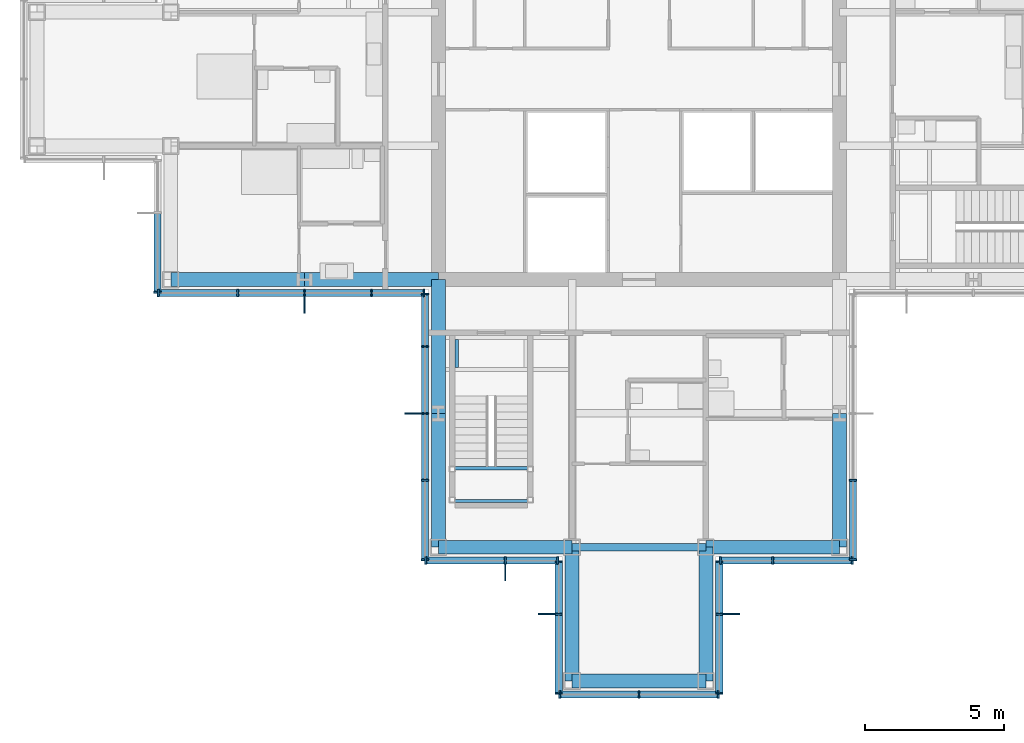
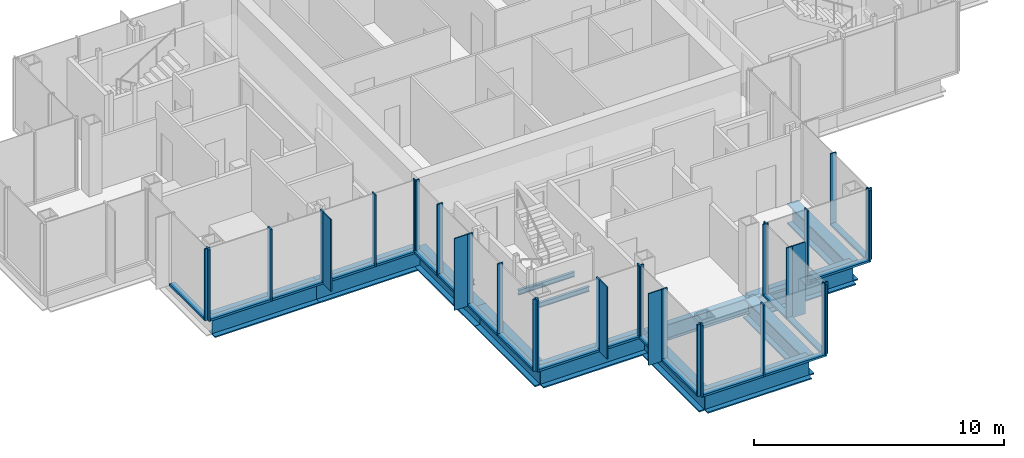
# One storey, part 5 of 15: 53 members, 14 beams, 9 elements without a shape of their own.
"""IFC4 building model written with IfcOpenShell, lengths in metres."""

from ifc_helpers import new_model, si_unit, direction, frame, origin, origin_2d, place, context, subcontext, project, spatial, rectangle, i_section, extrude, material, material_profile, profile_set, type_object, element, aggregate, save


model = new_model("IFC4")

# Units and contexts
model_context = context("Model", 3, precision=1e-05, world=origin(), true_north=direction((0.0, 1.0)))
body_context = subcontext(model_context, "Body", "Model", "MODEL_VIEW")
ifc_project = project(units=[si_unit("LENGTHUNIT", "METRE"), si_unit("AREAUNIT", "SQUARE_METRE"), si_unit("VOLUMEUNIT", "CUBIC_METRE"), si_unit("PLANEANGLEUNIT", "RADIAN"), si_unit("MASSUNIT", "GRAM", prefix="KILO")], contexts=[model_context])

# Site, building, storey
site_placement = place(None, origin())
site = spatial("IfcSite", under=ifc_project, at=site_placement, CompositionType="ELEMENT")
building_placement = place(site_placement, origin())
building = spatial("IfcBuilding", under=site, at=building_placement, Name="Kvirike Care Tower", CompositionType="ELEMENT")
storey_placement = place(building_placement, frame((0.0, 0.0, 205.0)))
storey = spatial("IfcBuildingStorey", under=building, at=storey_placement, Name="L56", CompositionType="ELEMENT", Elevation=205.0)

# Curtain wall, member
ifc_material_1 = material(Name="Anodised aluminium stick system", Category="aluminium")
curtain_wall_type = type_object("IfcCurtainWallType", Name="CW-D STICK CURTAIN WALL", PredefinedType="NOTDEFINED", material=ifc_material_1)
curtain_wall_1_placement = place(storey_placement, origin())
curtain_wall_1 = element("IfcCurtainWall", 1, at=curtain_wall_1_placement, inside=storey, type_object=curtain_wall_type, Name="Curtain wall L56 face 13", PredefinedType="NOTDEFINED")
ifc_material_2 = material(Name="Bronze anodised aluminium fin", Category="aluminium")
ifc_material_profile_1 = material_profile(ifc_material_2, rectangle(XDim=0.050048828125, YDim=0.60009765625, at=origin_2d()), Name="BRONZE FIN 600")
ifc_profile_set_1 = profile_set([ifc_material_profile_1], Name="Bronze anodised aluminium fin")
member_type_1 = type_object("IfcMemberType", Name="BRONZE FIN 600", PredefinedType="USERDEFINED", material=ifc_profile_set_1)
member_1_placement = place(storey_placement, frame((9.60009765625, 27.889892578125, 0.0), z_axis=(0.0, 0.0, 1.0), x_axis=(1.0, 0.0, 0.0)))
member_1 = element("IfcMember", 2, at=member_1_placement, type_object=member_type_1, Name="Bronze fin L56 face 13.3", ObjectType="FIN", PredefinedType="USERDEFINED", context=body_context, shape_type="SweptSolid", body=[
    extrude(rectangle(XDim=0.050048828125, YDim=0.60009765625, at=origin_2d()), origin(), (0.0, 0.0, 1.0), 3.5),
])

curtain_wall_2_placement = place(storey_placement, origin())
curtain_wall_2 = element("IfcCurtainWall", 3, at=curtain_wall_2_placement, inside=storey, type_object=curtain_wall_type, Name="Curtain wall L56 face 14", PredefinedType="NOTDEFINED")
member_2_placement = place(storey_placement, frame((13.489990234375, 24.0, 0.0), z_axis=(0.0, 0.0, 1.0), x_axis=(0.0, -1.0, 0.0)))
member_2 = element("IfcMember", 4, at=member_2_placement, type_object=member_type_1, Name="Bronze fin L56 face 14.3", ObjectType="FIN", PredefinedType="USERDEFINED", context=body_context, shape_type="SweptSolid", body=[
    extrude(rectangle(XDim=0.050048828125, YDim=0.60009765625, at=origin_2d()), origin(), (0.0, 0.0, 1.0), 3.5),
])

curtain_wall_3_placement = place(storey_placement, origin())
curtain_wall_3 = element("IfcCurtainWall", 5, at=curtain_wall_3_placement, inside=storey, type_object=curtain_wall_type, Name="Curtain wall L56 face 15", PredefinedType="NOTDEFINED")
member_3_placement = place(storey_placement, frame((16.800048828125, 18.2900390625, 0.0), z_axis=(0.0, 0.0, 1.0), x_axis=(1.0, 0.0, 0.0)))
member_3 = element("IfcMember", 6, at=member_3_placement, type_object=member_type_1, Name="Bronze fin L56 face 15.2", ObjectType="FIN", PredefinedType="USERDEFINED", context=body_context, shape_type="SweptSolid", body=[
    extrude(rectangle(XDim=0.050048828125, YDim=0.60009765625, at=origin_2d()), origin(), (0.0, 0.0, 1.0), 3.5),
])

curtain_wall_4_placement = place(storey_placement, origin())
curtain_wall_4 = element("IfcCurtainWall", 7, at=curtain_wall_4_placement, inside=storey, type_object=curtain_wall_type, Name="Curtain wall L56 face 16", PredefinedType="NOTDEFINED")
member_4_placement = place(storey_placement, frame((18.2900390625, 16.800048828125, 0.0), z_axis=(0.0, 0.0, 1.0), x_axis=(0.0, -1.0, 0.0)))
member_4 = element("IfcMember", 8, at=member_4_placement, type_object=member_type_1, Name="Bronze fin L56 face 16.2", ObjectType="FIN", PredefinedType="USERDEFINED", context=body_context, shape_type="SweptSolid", body=[
    extrude(rectangle(XDim=0.050048828125, YDim=0.60009765625, at=origin_2d()), origin(), (0.0, 0.0, 1.0), 3.5),
])

curtain_wall_5_placement = place(storey_placement, origin())
curtain_wall_5 = element("IfcCurtainWall", 9, at=curtain_wall_5_placement, inside=storey, type_object=curtain_wall_type, Name="Curtain wall L56 face 18", PredefinedType="NOTDEFINED")
member_5_placement = place(storey_placement, frame((24.909912109375, 16.800048828125, 0.0), z_axis=(0.0, 0.0, 1.0), x_axis=(0.0, 1.0, 0.0)))
member_5 = element("IfcMember", 10, at=member_5_placement, type_object=member_type_1, Name="Bronze fin L56 face 18.2", ObjectType="FIN", PredefinedType="USERDEFINED", context=body_context, shape_type="SweptSolid", body=[
    extrude(rectangle(XDim=0.050048828125, YDim=0.60009765625, at=origin_2d()), origin(), (0.0, 0.0, 1.0), 3.5),
])

curtain_wall_6_placement = place(storey_placement, origin())
curtain_wall_6 = element("IfcCurtainWall", 11, at=curtain_wall_6_placement, inside=storey, type_object=curtain_wall_type, Name="Curtain wall L56 face 12", PredefinedType="NOTDEFINED")
ifc_material_3 = material(Name="Bronze anodised aluminium mullion", Category="aluminium")
ifc_material_profile_2 = material_profile(ifc_material_3, rectangle(XDim=0.06494140625, YDim=0.260009765625, at=origin_2d()), Name="CW-D MULLION 65x260")
ifc_profile_set_2 = profile_set([ifc_material_profile_2], Name="Bronze anodised aluminium mullion")
member_type_2 = type_object("IfcMemberType", Name="CW-D MULLION 65x260", PredefinedType="MULLION", material=ifc_profile_set_2)
member_6_placement = place(storey_placement, frame((4.320068359375, 28.3525390625, 0.0), z_axis=(0.0, 0.0, 1.0), x_axis=(0.0, -1.0, 0.0)))
member_6 = element("IfcMember", 12, at=member_6_placement, type_object=member_type_2, Name="CW-D mullion L56 face 12.3", PredefinedType="MULLION", context=body_context, shape_type="SweptSolid", body=[
    extrude(rectangle(XDim=0.06494140625, YDim=0.260009765625, at=origin_2d()), origin(), (0.0, 0.0, 1.0), 3.5),
])

# Member
member_7_placement = place(storey_placement, frame((4.3525390625, 28.320068359375, 0.0), z_axis=(0.0, 0.0, 1.0), x_axis=(1.0, 0.0, 0.0)))
member_7 = element("IfcMember", 13, at=member_7_placement, type_object=member_type_2, Name="CW-D mullion L56 face 13.1", PredefinedType="MULLION", context=body_context, shape_type="SweptSolid", body=[
    extrude(rectangle(XDim=0.06494140625, YDim=0.260009765625, at=origin_2d()), origin(), (0.0, 0.0, 1.0), 3.5),
])

member_8_placement = place(storey_placement, frame((7.199951171875, 28.320068359375, 0.0), z_axis=(0.0, 0.0, 1.0), x_axis=(1.0, 0.0, 0.0)))
member_8 = element("IfcMember", 14, at=member_8_placement, type_object=member_type_2, Name="CW-D mullion L56 face 13.2", PredefinedType="MULLION", context=body_context, shape_type="SweptSolid", body=[
    extrude(rectangle(XDim=0.06494140625, YDim=0.260009765625, at=origin_2d()), origin(), (0.0, 0.0, 1.0), 3.5),
])

member_9_placement = place(storey_placement, frame((9.60009765625, 28.320068359375, 0.0), z_axis=(0.0, 0.0, 1.0), x_axis=(1.0, 0.0, 0.0)))
member_9 = element("IfcMember", 15, at=member_9_placement, type_object=member_type_2, Name="CW-D mullion L56 face 13.3", PredefinedType="MULLION", context=body_context, shape_type="SweptSolid", body=[
    extrude(rectangle(XDim=0.06494140625, YDim=0.260009765625, at=origin_2d()), origin(), (0.0, 0.0, 1.0), 3.5),
])

member_10_placement = place(storey_placement, frame((12.0, 28.320068359375, 0.0), z_axis=(0.0, 0.0, 1.0), x_axis=(1.0, 0.0, 0.0)))
member_10 = element("IfcMember", 16, at=member_10_placement, type_object=member_type_2, Name="CW-D mullion L56 face 13.4", PredefinedType="MULLION", context=body_context, shape_type="SweptSolid", body=[
    extrude(rectangle(XDim=0.06494140625, YDim=0.260009765625, at=origin_2d()), origin(), (0.0, 0.0, 1.0), 3.5),
])

member_11_placement = place(storey_placement, frame((13.887451171875, 28.320068359375, 0.0), z_axis=(0.0, 0.0, 1.0), x_axis=(1.0, 0.0, 0.0)))
member_11 = element("IfcMember", 17, at=member_11_placement, type_object=member_type_2, Name="CW-D mullion L56 face 13.5", PredefinedType="MULLION", context=body_context, shape_type="SweptSolid", body=[
    extrude(rectangle(XDim=0.06494140625, YDim=0.260009765625, at=origin_2d()), origin(), (0.0, 0.0, 1.0), 3.5),
])

member_12_placement = place(storey_placement, frame((13.919921875, 28.28759765625, 0.0), z_axis=(0.0, 0.0, 1.0), x_axis=(0.0, -1.0, 0.0)))
member_12 = element("IfcMember", 18, at=member_12_placement, type_object=member_type_2, Name="CW-D mullion L56 face 14.1", PredefinedType="MULLION", context=body_context, shape_type="SweptSolid", body=[
    extrude(rectangle(XDim=0.06494140625, YDim=0.260009765625, at=origin_2d()), origin(), (0.0, 0.0, 1.0), 3.5),
])

member_13_placement = place(storey_placement, frame((13.919921875, 26.39990234375, 0.0), z_axis=(0.0, 0.0, 1.0), x_axis=(0.0, -1.0, 0.0)))
member_13 = element("IfcMember", 19, at=member_13_placement, type_object=member_type_2, Name="CW-D mullion L56 face 14.2", PredefinedType="MULLION", context=body_context, shape_type="SweptSolid", body=[
    extrude(rectangle(XDim=0.06494140625, YDim=0.260009765625, at=origin_2d()), origin(), (0.0, 0.0, 1.0), 3.5),
])

member_14_placement = place(storey_placement, frame((13.919921875, 24.0, 0.0), z_axis=(0.0, 0.0, 1.0), x_axis=(0.0, -1.0, 0.0)))
member_14 = element("IfcMember", 20, at=member_14_placement, type_object=member_type_2, Name="CW-D mullion L56 face 14.3", PredefinedType="MULLION", context=body_context, shape_type="SweptSolid", body=[
    extrude(rectangle(XDim=0.06494140625, YDim=0.260009765625, at=origin_2d()), origin(), (0.0, 0.0, 1.0), 3.5),
])

member_15_placement = place(storey_placement, frame((13.919921875, 21.60009765625, 0.0), z_axis=(0.0, 0.0, 1.0), x_axis=(0.0, -1.0, 0.0)))
member_15 = element("IfcMember", 21, at=member_15_placement, type_object=member_type_2, Name="CW-D mullion L56 face 14.4", PredefinedType="MULLION", context=body_context, shape_type="SweptSolid", body=[
    extrude(rectangle(XDim=0.06494140625, YDim=0.260009765625, at=origin_2d()), origin(), (0.0, 0.0, 1.0), 3.5),
])

member_16_placement = place(storey_placement, frame((13.919921875, 18.75244140625, 0.0), z_axis=(0.0, 0.0, 1.0), x_axis=(0.0, -1.0, 0.0)))
member_16 = element("IfcMember", 22, at=member_16_placement, type_object=member_type_2, Name="CW-D mullion L56 face 14.5", PredefinedType="MULLION", context=body_context, shape_type="SweptSolid", body=[
    extrude(rectangle(XDim=0.06494140625, YDim=0.260009765625, at=origin_2d()), origin(), (0.0, 0.0, 1.0), 3.5),
])

member_17_placement = place(storey_placement, frame((13.952392578125, 18.719970703125, 0.0), z_axis=(0.0, 0.0, 1.0), x_axis=(1.0, 0.0, 0.0)))
member_17 = element("IfcMember", 23, at=member_17_placement, type_object=member_type_2, Name="CW-D mullion L56 face 15.1", PredefinedType="MULLION", context=body_context, shape_type="SweptSolid", body=[
    extrude(rectangle(XDim=0.06494140625, YDim=0.260009765625, at=origin_2d()), origin(), (0.0, 0.0, 1.0), 3.5),
])

member_18_placement = place(storey_placement, frame((16.800048828125, 18.719970703125, 0.0), z_axis=(0.0, 0.0, 1.0), x_axis=(1.0, 0.0, 0.0)))
member_18 = element("IfcMember", 24, at=member_18_placement, type_object=member_type_2, Name="CW-D mullion L56 face 15.2", PredefinedType="MULLION", context=body_context, shape_type="SweptSolid", body=[
    extrude(rectangle(XDim=0.06494140625, YDim=0.260009765625, at=origin_2d()), origin(), (0.0, 0.0, 1.0), 3.5),
])

member_19_placement = place(storey_placement, frame((18.6875, 18.719970703125, 0.0), z_axis=(0.0, 0.0, 1.0), x_axis=(1.0, 0.0, 0.0)))
member_19 = element("IfcMember", 25, at=member_19_placement, type_object=member_type_2, Name="CW-D mullion L56 face 15.3", PredefinedType="MULLION", context=body_context, shape_type="SweptSolid", body=[
    extrude(rectangle(XDim=0.06494140625, YDim=0.260009765625, at=origin_2d()), origin(), (0.0, 0.0, 1.0), 3.5),
])

member_20_placement = place(storey_placement, frame((18.719970703125, 18.6875, 0.0), z_axis=(0.0, 0.0, 1.0), x_axis=(0.0, -1.0, 0.0)))
member_20 = element("IfcMember", 26, at=member_20_placement, type_object=member_type_2, Name="CW-D mullion L56 face 16.1", PredefinedType="MULLION", context=body_context, shape_type="SweptSolid", body=[
    extrude(rectangle(XDim=0.06494140625, YDim=0.260009765625, at=origin_2d()), origin(), (0.0, 0.0, 1.0), 3.5),
])

member_21_placement = place(storey_placement, frame((18.719970703125, 16.800048828125, 0.0), z_axis=(0.0, 0.0, 1.0), x_axis=(0.0, -1.0, 0.0)))
member_21 = element("IfcMember", 27, at=member_21_placement, type_object=member_type_2, Name="CW-D mullion L56 face 16.2", PredefinedType="MULLION", context=body_context, shape_type="SweptSolid", body=[
    extrude(rectangle(XDim=0.06494140625, YDim=0.260009765625, at=origin_2d()), origin(), (0.0, 0.0, 1.0), 3.5),
])

member_22_placement = place(storey_placement, frame((18.719970703125, 13.952392578125, 0.0), z_axis=(0.0, 0.0, 1.0), x_axis=(0.0, -1.0, 0.0)))
member_22 = element("IfcMember", 28, at=member_22_placement, type_object=member_type_2, Name="CW-D mullion L56 face 16.3", PredefinedType="MULLION", context=body_context, shape_type="SweptSolid", body=[
    extrude(rectangle(XDim=0.06494140625, YDim=0.260009765625, at=origin_2d()), origin(), (0.0, 0.0, 1.0), 3.5),
])

# Curtain wall, members
curtain_wall_7_placement = place(storey_placement, origin())
curtain_wall_7 = element("IfcCurtainWall", 29, at=curtain_wall_7_placement, inside=storey, type_object=curtain_wall_type, Name="Curtain wall L56 face 17", PredefinedType="NOTDEFINED")
member_23_placement = place(storey_placement, frame((18.75244140625, 13.919921875, 0.0), z_axis=(0.0, 0.0, 1.0), x_axis=(1.0, 0.0, 0.0)))
member_23 = element("IfcMember", 30, at=member_23_placement, type_object=member_type_2, Name="CW-D mullion L56 face 17.1", PredefinedType="MULLION", context=body_context, shape_type="SweptSolid", body=[
    extrude(rectangle(XDim=0.06494140625, YDim=0.260009765625, at=origin_2d()), origin(), (0.0, 0.0, 1.0), 3.5),
])
member_24_placement = place(storey_placement, frame((21.60009765625, 13.919921875, 0.0), z_axis=(0.0, 0.0, 1.0), x_axis=(1.0, 0.0, 0.0)))
member_24 = element("IfcMember", 31, at=member_24_placement, type_object=member_type_2, Name="CW-D mullion L56 face 17.2", PredefinedType="MULLION", context=body_context, shape_type="SweptSolid", body=[
    extrude(rectangle(XDim=0.06494140625, YDim=0.260009765625, at=origin_2d()), origin(), (0.0, 0.0, 1.0), 3.5),
])
member_25_placement = place(storey_placement, frame((24.447509765625, 13.919921875, 0.0), z_axis=(0.0, 0.0, 1.0), x_axis=(1.0, 0.0, 0.0)))
member_25 = element("IfcMember", 32, at=member_25_placement, type_object=member_type_2, Name="CW-D mullion L56 face 17.3", PredefinedType="MULLION", context=body_context, shape_type="SweptSolid", body=[
    extrude(rectangle(XDim=0.06494140625, YDim=0.260009765625, at=origin_2d()), origin(), (0.0, 0.0, 1.0), 3.5),
])

# Member
member_26_placement = place(storey_placement, frame((24.47998046875, 13.952392578125, 0.0), z_axis=(0.0, 0.0, 1.0), x_axis=(0.0, 1.0, 0.0)))
member_26 = element("IfcMember", 33, at=member_26_placement, type_object=member_type_2, Name="CW-D mullion L56 face 18.1", PredefinedType="MULLION", context=body_context, shape_type="SweptSolid", body=[
    extrude(rectangle(XDim=0.06494140625, YDim=0.260009765625, at=origin_2d()), origin(), (0.0, 0.0, 1.0), 3.5),
])

member_27_placement = place(storey_placement, frame((24.47998046875, 16.800048828125, 0.0), z_axis=(0.0, 0.0, 1.0), x_axis=(0.0, 1.0, 0.0)))
member_27 = element("IfcMember", 34, at=member_27_placement, type_object=member_type_2, Name="CW-D mullion L56 face 18.2", PredefinedType="MULLION", context=body_context, shape_type="SweptSolid", body=[
    extrude(rectangle(XDim=0.06494140625, YDim=0.260009765625, at=origin_2d()), origin(), (0.0, 0.0, 1.0), 3.5),
])

member_28_placement = place(storey_placement, frame((24.47998046875, 18.6875, 0.0), z_axis=(0.0, 0.0, 1.0), x_axis=(0.0, 1.0, 0.0)))
member_28 = element("IfcMember", 35, at=member_28_placement, type_object=member_type_2, Name="CW-D mullion L56 face 18.3", PredefinedType="MULLION", context=body_context, shape_type="SweptSolid", body=[
    extrude(rectangle(XDim=0.06494140625, YDim=0.260009765625, at=origin_2d()), origin(), (0.0, 0.0, 1.0), 3.5),
])

# Curtain wall, members
curtain_wall_8_placement = place(storey_placement, origin())
curtain_wall_8 = element("IfcCurtainWall", 36, at=curtain_wall_8_placement, inside=storey, type_object=curtain_wall_type, Name="Curtain wall L56 face 19", PredefinedType="NOTDEFINED")
member_29_placement = place(storey_placement, frame((24.512451171875, 18.719970703125, 0.0), z_axis=(0.0, 0.0, 1.0), x_axis=(1.0, 0.0, 0.0)))
member_29 = element("IfcMember", 37, at=member_29_placement, type_object=member_type_2, Name="CW-D mullion L56 face 19.1", PredefinedType="MULLION", context=body_context, shape_type="SweptSolid", body=[
    extrude(rectangle(XDim=0.06494140625, YDim=0.260009765625, at=origin_2d()), origin(), (0.0, 0.0, 1.0), 3.5),
])
member_30_placement = place(storey_placement, frame((26.39990234375, 18.719970703125, 0.0), z_axis=(0.0, 0.0, 1.0), x_axis=(1.0, 0.0, 0.0)))
member_30 = element("IfcMember", 38, at=member_30_placement, type_object=member_type_2, Name="CW-D mullion L56 face 19.2", PredefinedType="MULLION", context=body_context, shape_type="SweptSolid", body=[
    extrude(rectangle(XDim=0.06494140625, YDim=0.260009765625, at=origin_2d()), origin(), (0.0, 0.0, 1.0), 3.5),
])
member_31_placement = place(storey_placement, frame((29.24755859375, 18.719970703125, 0.0), z_axis=(0.0, 0.0, 1.0), x_axis=(1.0, 0.0, 0.0)))
member_31 = element("IfcMember", 39, at=member_31_placement, type_object=member_type_2, Name="CW-D mullion L56 face 19.3", PredefinedType="MULLION", context=body_context, shape_type="SweptSolid", body=[
    extrude(rectangle(XDim=0.06494140625, YDim=0.260009765625, at=origin_2d()), origin(), (0.0, 0.0, 1.0), 3.5),
])

curtain_wall_9_placement = place(storey_placement, origin())
curtain_wall_9 = element("IfcCurtainWall", 40, at=curtain_wall_9_placement, inside=storey, type_object=curtain_wall_type, Name="Curtain wall L56 face 20", PredefinedType="NOTDEFINED")
member_32_placement = place(storey_placement, frame((29.280029296875, 18.75244140625, 0.0), z_axis=(0.0, 0.0, 1.0), x_axis=(0.0, 1.0, 0.0)))
member_32 = element("IfcMember", 41, at=member_32_placement, type_object=member_type_2, Name="CW-D mullion L56 face 20.1", PredefinedType="MULLION", context=body_context, shape_type="SweptSolid", body=[
    extrude(rectangle(XDim=0.06494140625, YDim=0.260009765625, at=origin_2d()), origin(), (0.0, 0.0, 1.0), 3.5),
])
member_33_placement = place(storey_placement, frame((29.280029296875, 21.60009765625, 0.0), z_axis=(0.0, 0.0, 1.0), x_axis=(0.0, 1.0, 0.0)))
member_33 = element("IfcMember", 42, at=member_33_placement, type_object=member_type_2, Name="CW-D mullion L56 face 20.2", PredefinedType="MULLION", context=body_context, shape_type="SweptSolid", body=[
    extrude(rectangle(XDim=0.06494140625, YDim=0.260009765625, at=origin_2d()), origin(), (0.0, 0.0, 1.0), 3.5),
])

# Member
ifc_material_4 = material(Name="Bronze anodised aluminium transom", Category="aluminium")
ifc_material_profile_3 = material_profile(ifc_material_4, rectangle(XDim=0.260009765625, YDim=0.10009765625, at=origin_2d()), Name="CW-D TRANSOM 260x100")
ifc_profile_set_3 = profile_set([ifc_material_profile_3], Name="Bronze anodised aluminium transom")
member_type_3 = type_object("IfcMemberType", Name="CW-D TRANSOM 260x100", PredefinedType="USERDEFINED", material=ifc_profile_set_3)
member_34_placement = place(storey_placement, frame((4.320068359375, 31.16748046875, 0.050048828125), z_axis=(0.0, -1.0, 0.0), x_axis=(1.0, 0.0, 0.0)))
member_34 = element("IfcMember", 43, at=member_34_placement, type_object=member_type_3, Name="CW-D sill transom L56 face 12.2", ObjectType="TRANSOM", PredefinedType="USERDEFINED", context=body_context, shape_type="SweptSolid", body=[
    extrude(rectangle(XDim=0.260009765625, YDim=0.10009765625, at=origin_2d()), origin(), (0.0, 0.0, 1.0), 2.782470703125),
])

aggregate(curtain_wall_6, [member_6, member_34])

member_35_placement = place(storey_placement, frame((4.385009765625, 28.320068359375, 0.050048828125), z_axis=(1.0, 0.0, 0.0), x_axis=(0.0, 1.0, 0.0)))
member_35 = element("IfcMember", 44, at=member_35_placement, type_object=member_type_3, Name="CW-D sill transom L56 face 13.1", ObjectType="TRANSOM", PredefinedType="USERDEFINED", context=body_context, shape_type="SweptSolid", body=[
    extrude(rectangle(XDim=0.260009765625, YDim=0.10009765625, at=origin_2d()), origin(), (0.0, 0.0, 1.0), 2.782470703125),
])

member_36_placement = place(storey_placement, frame((7.232421875, 28.320068359375, 0.050048828125), z_axis=(1.0, 0.0, 0.0), x_axis=(0.0, 1.0, 0.0)))
member_36 = element("IfcMember", 45, at=member_36_placement, type_object=member_type_3, Name="CW-D sill transom L56 face 13.2", ObjectType="TRANSOM", PredefinedType="USERDEFINED", context=body_context, shape_type="SweptSolid", body=[
    extrude(rectangle(XDim=0.260009765625, YDim=0.10009765625, at=origin_2d()), origin(), (0.0, 0.0, 1.0), 2.3349609375),
])

member_37_placement = place(storey_placement, frame((9.632568359375, 28.320068359375, 0.050048828125), z_axis=(1.0, 0.0, 0.0), x_axis=(0.0, 1.0, 0.0)))
member_37 = element("IfcMember", 46, at=member_37_placement, type_object=member_type_3, Name="CW-D sill transom L56 face 13.3", ObjectType="TRANSOM", PredefinedType="USERDEFINED", context=body_context, shape_type="SweptSolid", body=[
    extrude(rectangle(XDim=0.260009765625, YDim=0.10009765625, at=origin_2d()), origin(), (0.0, 0.0, 1.0), 2.3349609375),
])

member_38_placement = place(storey_placement, frame((12.032470703125, 28.320068359375, 0.050048828125), z_axis=(1.0, 0.0, 0.0), x_axis=(0.0, 1.0, 0.0)))
member_38 = element("IfcMember", 47, at=member_38_placement, type_object=member_type_3, Name="CW-D sill transom L56 face 13.4", ObjectType="TRANSOM", PredefinedType="USERDEFINED", context=body_context, shape_type="SweptSolid", body=[
    extrude(rectangle(XDim=0.260009765625, YDim=0.10009765625, at=origin_2d()), origin(), (0.0, 0.0, 1.0), 1.822509765625),
])

aggregate(curtain_wall_1, [member_7, member_8, member_9, member_1, member_10, member_11, member_35, member_36, member_37, member_38])

member_39_placement = place(storey_placement, frame((13.919921875, 28.2548828125, 0.050048828125), z_axis=(0.0, -1.0, 0.0), x_axis=(1.0, 0.0, 0.0)))
member_39 = element("IfcMember", 48, at=member_39_placement, type_object=member_type_3, Name="CW-D sill transom L56 face 14.1", ObjectType="TRANSOM", PredefinedType="USERDEFINED", context=body_context, shape_type="SweptSolid", body=[
    extrude(rectangle(XDim=0.260009765625, YDim=0.10009765625, at=origin_2d()), origin(), (0.0, 0.0, 1.0), 1.822265625),
])

member_40_placement = place(storey_placement, frame((13.919921875, 26.367431640625, 0.050048828125), z_axis=(0.0, -1.0, 0.0), x_axis=(1.0, 0.0, 0.0)))
member_40 = element("IfcMember", 49, at=member_40_placement, type_object=member_type_3, Name="CW-D sill transom L56 face 14.2", ObjectType="TRANSOM", PredefinedType="USERDEFINED", context=body_context, shape_type="SweptSolid", body=[
    extrude(rectangle(XDim=0.260009765625, YDim=0.10009765625, at=origin_2d()), origin(), (0.0, 0.0, 1.0), 2.3349609375),
])

member_41_placement = place(storey_placement, frame((13.919921875, 23.967529296875, 0.050048828125), z_axis=(0.0, -1.0, 0.0), x_axis=(1.0, 0.0, 0.0)))
member_41 = element("IfcMember", 50, at=member_41_placement, type_object=member_type_3, Name="CW-D sill transom L56 face 14.3", ObjectType="TRANSOM", PredefinedType="USERDEFINED", context=body_context, shape_type="SweptSolid", body=[
    extrude(rectangle(XDim=0.260009765625, YDim=0.10009765625, at=origin_2d()), origin(), (0.0, 0.0, 1.0), 2.3349609375),
])

member_42_placement = place(storey_placement, frame((13.919921875, 21.5673828125, 0.050048828125), z_axis=(0.0, -1.0, 0.0), x_axis=(1.0, 0.0, 0.0)))
member_42 = element("IfcMember", 51, at=member_42_placement, type_object=member_type_3, Name="CW-D sill transom L56 face 14.4", ObjectType="TRANSOM", PredefinedType="USERDEFINED", context=body_context, shape_type="SweptSolid", body=[
    extrude(rectangle(XDim=0.260009765625, YDim=0.10009765625, at=origin_2d()), origin(), (0.0, 0.0, 1.0), 2.782470703125),
])

aggregate(curtain_wall_2, [member_12, member_13, member_14, member_2, member_15, member_16, member_39, member_40, member_41, member_42])

member_43_placement = place(storey_placement, frame((13.985107421875, 18.719970703125, 0.050048828125), z_axis=(1.0, 0.0, 0.0), x_axis=(0.0, 1.0, 0.0)))
member_43 = element("IfcMember", 52, at=member_43_placement, type_object=member_type_3, Name="CW-D sill transom L56 face 15.1", ObjectType="TRANSOM", PredefinedType="USERDEFINED", context=body_context, shape_type="SweptSolid", body=[
    extrude(rectangle(XDim=0.260009765625, YDim=0.10009765625, at=origin_2d()), origin(), (0.0, 0.0, 1.0), 2.782470703125),
])

member_44_placement = place(storey_placement, frame((16.83251953125, 18.719970703125, 0.050048828125), z_axis=(1.0, 0.0, 0.0), x_axis=(0.0, 1.0, 0.0)))
member_44 = element("IfcMember", 53, at=member_44_placement, type_object=member_type_3, Name="CW-D sill transom L56 face 15.2", ObjectType="TRANSOM", PredefinedType="USERDEFINED", context=body_context, shape_type="SweptSolid", body=[
    extrude(rectangle(XDim=0.260009765625, YDim=0.10009765625, at=origin_2d()), origin(), (0.0, 0.0, 1.0), 1.822509765625),
])

aggregate(curtain_wall_3, [member_17, member_18, member_3, member_19, member_43, member_44])

member_45_placement = place(storey_placement, frame((18.719970703125, 18.655029296875, 0.050048828125), z_axis=(0.0, -1.0, 0.0), x_axis=(1.0, 0.0, 0.0)))
member_45 = element("IfcMember", 54, at=member_45_placement, type_object=member_type_3, Name="CW-D sill transom L56 face 16.1", ObjectType="TRANSOM", PredefinedType="USERDEFINED", context=body_context, shape_type="SweptSolid", body=[
    extrude(rectangle(XDim=0.260009765625, YDim=0.10009765625, at=origin_2d()), origin(), (0.0, 0.0, 1.0), 1.822509765625),
])

member_46_placement = place(storey_placement, frame((18.719970703125, 16.767578125, 0.050048828125), z_axis=(0.0, -1.0, 0.0), x_axis=(1.0, 0.0, 0.0)))
member_46 = element("IfcMember", 55, at=member_46_placement, type_object=member_type_3, Name="CW-D sill transom L56 face 16.2", ObjectType="TRANSOM", PredefinedType="USERDEFINED", context=body_context, shape_type="SweptSolid", body=[
    extrude(rectangle(XDim=0.260009765625, YDim=0.10009765625, at=origin_2d()), origin(), (0.0, 0.0, 1.0), 2.782470703125),
])

aggregate(curtain_wall_4, [member_20, member_21, member_4, member_22, member_45, member_46])

member_47_placement = place(storey_placement, frame((18.784912109375, 13.919921875, 0.050048828125), z_axis=(1.0, 0.0, 0.0), x_axis=(0.0, 1.0, 0.0)))
member_47 = element("IfcMember", 56, at=member_47_placement, type_object=member_type_3, Name="CW-D sill transom L56 face 17.1", ObjectType="TRANSOM", PredefinedType="USERDEFINED", context=body_context, shape_type="SweptSolid", body=[
    extrude(rectangle(XDim=0.260009765625, YDim=0.10009765625, at=origin_2d()), origin(), (0.0, 0.0, 1.0), 2.782470703125),
])

member_48_placement = place(storey_placement, frame((21.632568359375, 13.919921875, 0.050048828125), z_axis=(1.0, 0.0, 0.0), x_axis=(0.0, 1.0, 0.0)))
member_48 = element("IfcMember", 57, at=member_48_placement, type_object=member_type_3, Name="CW-D sill transom L56 face 17.2", ObjectType="TRANSOM", PredefinedType="USERDEFINED", context=body_context, shape_type="SweptSolid", body=[
    extrude(rectangle(XDim=0.260009765625, YDim=0.10009765625, at=origin_2d()), origin(), (0.0, 0.0, 1.0), 2.782470703125),
])

aggregate(curtain_wall_7, [member_23, member_24, member_25, member_47, member_48])

member_49_placement = place(storey_placement, frame((24.47998046875, 13.985107421875, 0.050048828125), z_axis=(0.0, 1.0, 0.0), x_axis=(-1.0, 0.0, 0.0)))
member_49 = element("IfcMember", 58, at=member_49_placement, type_object=member_type_3, Name="CW-D sill transom L56 face 18.1", ObjectType="TRANSOM", PredefinedType="USERDEFINED", context=body_context, shape_type="SweptSolid", body=[
    extrude(rectangle(XDim=0.260009765625, YDim=0.10009765625, at=origin_2d()), origin(), (0.0, 0.0, 1.0), 2.782470703125),
])

member_50_placement = place(storey_placement, frame((24.47998046875, 16.83251953125, 0.050048828125), z_axis=(0.0, 1.0, 0.0), x_axis=(-1.0, 0.0, 0.0)))
member_50 = element("IfcMember", 59, at=member_50_placement, type_object=member_type_3, Name="CW-D sill transom L56 face 18.2", ObjectType="TRANSOM", PredefinedType="USERDEFINED", context=body_context, shape_type="SweptSolid", body=[
    extrude(rectangle(XDim=0.260009765625, YDim=0.10009765625, at=origin_2d()), origin(), (0.0, 0.0, 1.0), 1.822509765625),
])

aggregate(curtain_wall_5, [member_26, member_27, member_5, member_28, member_49, member_50])

member_51_placement = place(storey_placement, frame((24.544921875, 18.719970703125, 0.050048828125), z_axis=(1.0, 0.0, 0.0), x_axis=(0.0, 1.0, 0.0)))
member_51 = element("IfcMember", 60, at=member_51_placement, type_object=member_type_3, Name="CW-D sill transom L56 face 19.1", ObjectType="TRANSOM", PredefinedType="USERDEFINED", context=body_context, shape_type="SweptSolid", body=[
    extrude(rectangle(XDim=0.260009765625, YDim=0.10009765625, at=origin_2d()), origin(), (0.0, 0.0, 1.0), 1.822509765625),
])

member_52_placement = place(storey_placement, frame((26.4326171875, 18.719970703125, 0.050048828125), z_axis=(1.0, 0.0, 0.0), x_axis=(0.0, 1.0, 0.0)))
member_52 = element("IfcMember", 61, at=member_52_placement, type_object=member_type_3, Name="CW-D sill transom L56 face 19.2", ObjectType="TRANSOM", PredefinedType="USERDEFINED", context=body_context, shape_type="SweptSolid", body=[
    extrude(rectangle(XDim=0.260009765625, YDim=0.10009765625, at=origin_2d()), origin(), (0.0, 0.0, 1.0), 2.782470703125),
])

aggregate(curtain_wall_8, [member_29, member_30, member_31, member_51, member_52])

member_53_placement = place(storey_placement, frame((29.280029296875, 18.784912109375, 0.050048828125), z_axis=(0.0, 1.0, 0.0), x_axis=(-1.0, 0.0, 0.0)))
member_53 = element("IfcMember", 62, at=member_53_placement, type_object=member_type_3, Name="CW-D sill transom L56 face 20.1", ObjectType="TRANSOM", PredefinedType="USERDEFINED", context=body_context, shape_type="SweptSolid", body=[
    extrude(rectangle(XDim=0.260009765625, YDim=0.10009765625, at=origin_2d()), origin(), (0.0, 0.0, 1.0), 2.782470703125),
])

aggregate(curtain_wall_9, [member_32, member_33, member_53])

# Beams
ifc_material_5 = material(Name="Steel S355", Category="steel")
ifc_material_profile_4 = material_profile(ifc_material_5, i_section(OverallWidth=0.26806640625, OverallDepth=0.77001953125, WebThickness=0.015625, FlangeThickness=0.025390625, FilletRadius=0.01708984375, at=origin_2d()), Name="IPE 750x196")
ifc_profile_set_4 = profile_set([ifc_material_profile_4], Name="Steel S355")
beam_type_1 = type_object("IfcBeamType", Name="FLOOR BEAM IPE 750x196", PredefinedType="BEAM", material=ifc_profile_set_4)
beam_1_placement = place(storey_placement, frame((19.199951171875, 19.199951171875, -0.554931640625), z_axis=(1.0, 0.0, 0.0), x_axis=(0.0, 1.0, 0.0)))
element("IfcBeam", 63, at=beam_1_placement, inside=storey, type_object=beam_type_1, Name="Floor Beam E7-E8 L56", PredefinedType="BEAM", context=body_context, shape_type="SweptSolid", body=[
    extrude(i_section(OverallWidth=0.26806640625, OverallDepth=0.77001953125, WebThickness=0.015625, FlangeThickness=0.025390625, FilletRadius=0.01708984375, at=origin_2d()), origin(), (0.0, 0.0, 1.0), 4.800048828125),
])
ifc_material_6 = material(Name="Steel S355", Category="steel")
ifc_material_profile_5 = material_profile(ifc_material_6, i_section(OverallWidth=0.5, OverallDepth=1.0, WebThickness=0.030029296875, FlangeThickness=0.06005859375, at=origin_2d()), Name="PG 1000x500x30x60")
ifc_profile_set_5 = profile_set([ifc_material_profile_5], Name="Steel S355")
beam_type_2 = type_object("IfcBeamType", Name="SPANDREL PG 1000x500x30x60", PredefinedType="SPANDREL", material=ifc_profile_set_5)
for number, where, z_axis, x_axis, name in (
    (64, (19.199951171875, 14.39990234375, -0.669921875), (1.0, 0.0, 0.0), (0.0, 1.0, 0.0), "Spandrel D7-D8 L56"),
    (65, (14.39990234375, 19.199951171875, -0.669921875), (1.0, 0.0, 0.0), (0.0, 1.0, 0.0), "Spandrel E6-E7 L56"),
    (66, (24.0, 19.199951171875, -0.669921875), (1.0, 0.0, 0.0), (0.0, 1.0, 0.0), "Spandrel E8-E9 L56"),
    (67, (4.800048828125, 28.800048828125, -0.669921875), (1.0, 0.0, 0.0), (0.0, 1.0, 0.0), "Spandrel G4-G5 L56"),
):
    element("IfcBeam", number, at=place(storey_placement, frame(where, z_axis=z_axis, x_axis=x_axis)), inside=storey, type_object=beam_type_2, Name=name, PredefinedType="SPANDREL", context=body_context, shape_type="SweptSolid", body=[
        extrude(i_section(OverallWidth=0.5, OverallDepth=1.0, WebThickness=0.030029296875, FlangeThickness=0.06005859375, at=origin_2d()), origin(), (0.0, 0.0, 1.0), 4.800048828125),
    ])
beam_2_placement = place(storey_placement, frame((9.60009765625, 28.800048828125, -0.669921875), z_axis=(1.0, 0.0, 0.0), x_axis=(0.0, 1.0, 0.0)))
element("IfcBeam", 68, at=beam_2_placement, inside=storey, type_object=beam_type_2, Name="Spandrel G5-G6 L56", PredefinedType="SPANDREL", context=body_context, shape_type="SweptSolid", body=[
    extrude(i_section(OverallWidth=0.5, OverallDepth=1.0, WebThickness=0.030029296875, FlangeThickness=0.06005859375, at=origin_2d()), origin(), (0.0, 0.0, 1.0), 4.7998046875),
])
for number, where, z_axis, x_axis, name in (
    (69, (14.39990234375, 19.199951171875, -0.669921875), (0.0, 1.0, 0.0), (-1.0, 0.0, 0.0), "Spandrel E6-F6 L56"),
    (70, (14.39990234375, 24.0, -0.669921875), (0.0, 1.0, 0.0), (-1.0, 0.0, 0.0), "Spandrel F6-G6 L56"),
    (71, (19.199951171875, 14.39990234375, -0.669921875), (0.0, 1.0, 0.0), (-1.0, 0.0, 0.0), "Spandrel D7-E7 L56"),
    (72, (24.0, 14.39990234375, -0.669921875), (0.0, 1.0, 0.0), (-1.0, 0.0, 0.0), "Spandrel D8-E8 L56"),
    (73, (28.800048828125, 19.199951171875, -0.669921875), (0.0, 1.0, 0.0), (-1.0, 0.0, 0.0), "Spandrel E9-F9 L56"),
):
    element("IfcBeam", number, at=place(storey_placement, frame(where, z_axis=z_axis, x_axis=x_axis)), inside=storey, type_object=beam_type_2, Name=name, PredefinedType="SPANDREL", context=body_context, shape_type="SweptSolid", body=[
        extrude(i_section(OverallWidth=0.5, OverallDepth=1.0, WebThickness=0.030029296875, FlangeThickness=0.06005859375, at=origin_2d()), origin(), (0.0, 0.0, 1.0), 4.800048828125),
    ])
ifc_material_7 = material(Name="Steel S355", Category="steel")
ifc_material_profile_6 = material_profile(ifc_material_7, i_section(OverallWidth=0.1201171875, OverallDepth=0.239990234375, WebThickness=0.006103515625, FlangeThickness=0.009765625, FilletRadius=0.014892578125, at=origin_2d()), Name="IPE 240")
ifc_profile_set_6 = profile_set([ifc_material_profile_6], Name="Steel S355")
beam_type_3 = type_object("IfcBeamType", Name="STAIR LANDING BEAM IPE 240", PredefinedType="BEAM", material=ifc_profile_set_6)
for number, where, z_axis, x_axis, name in (
    (74, (15.0, 20.860107421875, 1.429931640625), (1.0, 0.0, 0.0), (0.0, 1.0, 0.0), "Stair 5 landing beam back L56"),
    (75, (15.0, 22.0400390625, 1.429931640625), (1.0, 0.0, 0.0), (0.0, 1.0, 0.0), "Stair 5 landing beam front L56"),
):
    element("IfcBeam", number, at=place(storey_placement, frame(where, z_axis=z_axis, x_axis=x_axis)), inside=storey, type_object=beam_type_3, Name=name, PredefinedType="BEAM", context=body_context, shape_type="SweptSolid", body=[
        extrude(i_section(OverallWidth=0.1201171875, OverallDepth=0.239990234375, WebThickness=0.006103515625, FlangeThickness=0.009765625, FilletRadius=0.014892578125, at=origin_2d()), origin(), (0.0, 0.0, 1.0), 2.60009765625),
    ])
beam_3_placement = place(storey_placement, frame((15.06005859375, 25.64990234375, -0.320068359375), z_axis=(0.0, 1.0, 0.0), x_axis=(-1.0, 0.0, 0.0)))
element("IfcBeam", 76, at=beam_3_placement, inside=storey, type_object=beam_type_3, Name="Stair 5 landing edge beam 1 L56", PredefinedType="BEAM", context=body_context, shape_type="SweptSolid", body=[
    extrude(i_section(OverallWidth=0.1201171875, OverallDepth=0.239990234375, WebThickness=0.006103515625, FlangeThickness=0.009765625, FilletRadius=0.014892578125, at=origin_2d()), origin(), (0.0, 0.0, 1.0), 1.0),
])

save(model, "model.ifc")
